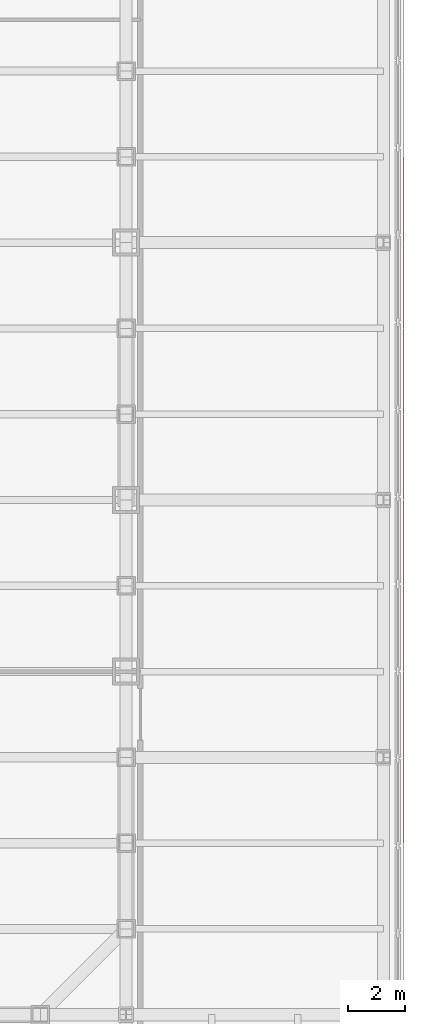
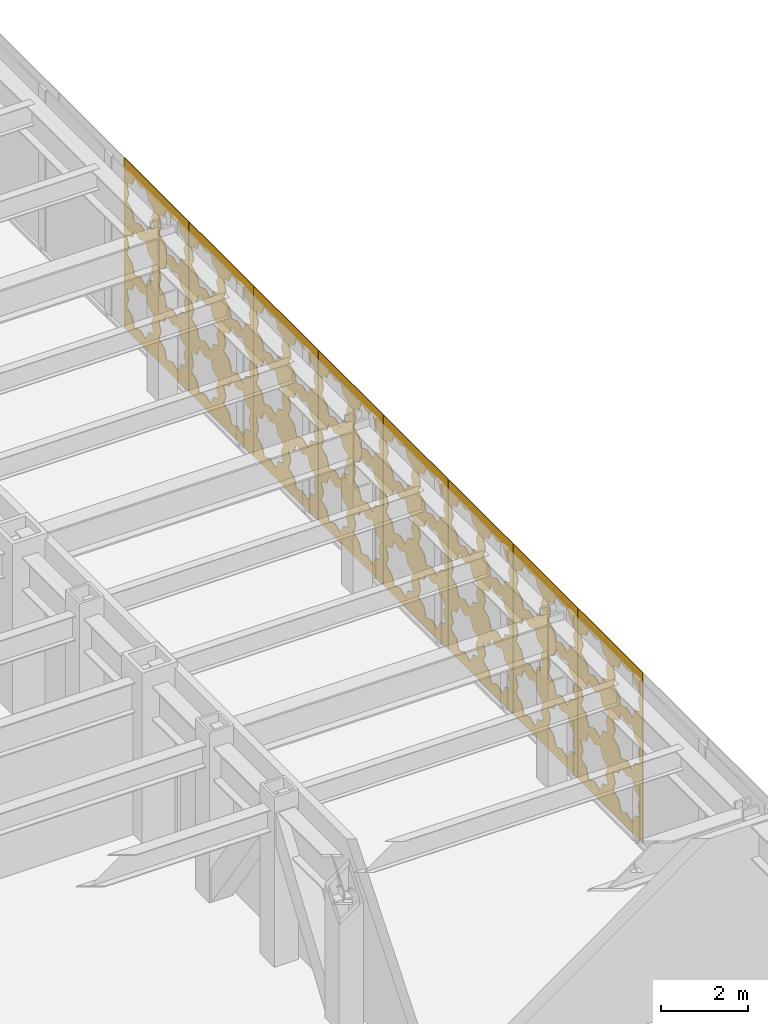
# One storey, part 23 of 24: 8 shading devices.
"""IFC4 building model written with IfcOpenShell, lengths in metres."""

from ifc_helpers import new_model, si_unit, direction, frame, origin, place, context, subcontext, project, spatial, polyline, outline, extrude, material, layer, layer_set, type_object, element, save


model = new_model("IFC4")

# Units and contexts
model_context = context("Model", 3, precision=1e-05, world=origin(), true_north=direction((0.0, 1.0)))
body_context = subcontext(model_context, "Body", "Model", "MODEL_VIEW")
ifc_project = project(units=[si_unit("LENGTHUNIT", "METRE"), si_unit("AREAUNIT", "SQUARE_METRE"), si_unit("VOLUMEUNIT", "CUBIC_METRE"), si_unit("PLANEANGLEUNIT", "RADIAN"), si_unit("MASSUNIT", "GRAM", prefix="KILO")], contexts=[model_context])

# Site, building, storey
site_placement = place(None, origin())
site = spatial("IfcSite", under=ifc_project, at=site_placement, CompositionType="ELEMENT")
building_placement = place(site_placement, origin())
building = spatial("IfcBuilding", under=site, at=building_placement, Name="Chuquiago Exchange Tower", CompositionType="ELEMENT")
storey_placement = place(building_placement, frame((0.0, 0.0, 19.5)))
storey = spatial("IfcBuildingStorey", under=building, at=storey_placement, Name="L03", CompositionType="ELEMENT", Elevation=19.5)

# Shading devices
ifc_material = material(Name="Pale metal, perforated in an eight-point star pattern", Category="aluminium")
ifc_layer = layer(ifc_material, 0.02001953125)
ifc_layer_set = layer_set([ifc_layer], Name="SC1 mashrabiya screen 20")
shading_device_type = type_object("IfcShadingDeviceType", Name="SC1 mashrabiya screen 20", PredefinedType="SHUTTER", material=ifc_layer_set)
shading_device_1_placement = place(storey_placement, frame((54.699951171875, 6.010009765625, -0.199951171875), z_axis=(0.0, 0.0, 1.0), x_axis=(0.0, 1.0, 0.0)))
element("IfcShadingDevice", 1, at=shading_device_1_placement, inside=storey, type_object=shading_device_type, Name="Mashrabiya screen L03 E 9", PredefinedType="SHUTTER", context=body_context, shape_type="SweptSolid", body=[
    extrude(outline(polyline([(0.0, 0.0), (2.97998046875, 0.0), (2.97998046875, 4.800048828125), (0.0, 4.800048828125), (0.0, 0.0)]), holes=[polyline([(1.26953125, 0.909912109375), (1.378173828125, 1.17236328125), (1.115966796875, 1.281005859375), (1.00732421875, 1.543212890625), (0.7451171875, 1.4345703125), (0.482666015625, 1.543212890625), (0.3740234375, 1.281005859375), (0.11181640625, 1.17236328125), (0.220458984375, 0.909912109375), (0.11181640625, 0.647705078125), (0.3740234375, 0.5390625), (0.482666015625, 0.27685546875), (0.7451171875, 0.38525390625), (1.00732421875, 0.27685546875), (1.115966796875, 0.5390625), (1.378173828125, 0.647705078125), (1.26953125, 0.909912109375)]), polyline([(2.759521484375, 0.909912109375), (2.8681640625, 1.17236328125), (2.60595703125, 1.281005859375), (2.497314453125, 1.543212890625), (2.235107421875, 1.4345703125), (1.97265625, 1.543212890625), (1.864013671875, 1.281005859375), (1.601806640625, 1.17236328125), (1.71044921875, 0.909912109375), (1.601806640625, 0.647705078125), (1.864013671875, 0.5390625), (1.97265625, 0.27685546875), (2.235107421875, 0.38525390625), (2.497314453125, 0.27685546875), (2.60595703125, 0.5390625), (2.8681640625, 0.647705078125), (2.759521484375, 0.909912109375)]), polyline([(1.26953125, 2.39990234375), (1.378173828125, 2.662353515625), (1.115966796875, 2.77099609375), (1.00732421875, 3.033203125), (0.7451171875, 2.924560546875), (0.482666015625, 3.033203125), (0.3740234375, 2.77099609375), (0.11181640625, 2.662353515625), (0.220458984375, 2.39990234375), (0.11181640625, 2.1376953125), (0.3740234375, 2.029052734375), (0.482666015625, 1.766845703125), (0.7451171875, 1.875244140625), (1.00732421875, 1.766845703125), (1.115966796875, 2.029052734375), (1.378173828125, 2.1376953125), (1.26953125, 2.39990234375)]), polyline([(2.759521484375, 2.39990234375), (2.8681640625, 2.662353515625), (2.60595703125, 2.77099609375), (2.497314453125, 3.033203125), (2.235107421875, 2.924560546875), (1.97265625, 3.033203125), (1.864013671875, 2.77099609375), (1.601806640625, 2.662353515625), (1.71044921875, 2.39990234375), (1.601806640625, 2.1376953125), (1.864013671875, 2.029052734375), (1.97265625, 1.766845703125), (2.235107421875, 1.875244140625), (2.497314453125, 1.766845703125), (2.60595703125, 2.029052734375), (2.8681640625, 2.1376953125), (2.759521484375, 2.39990234375)]), polyline([(1.26953125, 3.889892578125), (1.378173828125, 4.15234375), (1.115966796875, 4.260986328125), (1.00732421875, 4.523193359375), (0.7451171875, 4.41455078125), (0.482666015625, 4.523193359375), (0.3740234375, 4.260986328125), (0.11181640625, 4.15234375), (0.220458984375, 3.889892578125), (0.11181640625, 3.627685546875), (0.3740234375, 3.51904296875), (0.482666015625, 3.2568359375), (0.7451171875, 3.365234375), (1.00732421875, 3.2568359375), (1.115966796875, 3.51904296875), (1.378173828125, 3.627685546875), (1.26953125, 3.889892578125)]), polyline([(2.759521484375, 3.889892578125), (2.8681640625, 4.15234375), (2.60595703125, 4.260986328125), (2.497314453125, 4.523193359375), (2.235107421875, 4.41455078125), (1.97265625, 4.523193359375), (1.864013671875, 4.260986328125), (1.601806640625, 4.15234375), (1.71044921875, 3.889892578125), (1.601806640625, 3.627685546875), (1.864013671875, 3.51904296875), (1.97265625, 3.2568359375), (2.235107421875, 3.365234375), (2.497314453125, 3.2568359375), (2.60595703125, 3.51904296875), (2.8681640625, 3.627685546875), (2.759521484375, 3.889892578125)])]), frame((0.0, 0.0, 0.0), z_axis=(0.0, -1.0, 0.0), x_axis=(1.0, 0.0, 0.0)), (0.0, 0.0, 1.0), 0.02001953125),
])
shading_device_2_placement = place(storey_placement, frame((54.699951171875, 9.010009765625, -0.199951171875), z_axis=(0.0, 0.0, 1.0), x_axis=(0.0, 1.0, 0.0)))
element("IfcShadingDevice", 2, at=shading_device_2_placement, inside=storey, type_object=shading_device_type, Name="Mashrabiya screen L03 E 10", PredefinedType="SHUTTER", context=body_context, shape_type="SweptSolid", body=[
    extrude(outline(polyline([(0.0, 0.0), (2.97998046875, 0.0), (2.97998046875, 4.800048828125), (0.0, 4.800048828125), (0.0, 0.0)]), holes=[polyline([(1.26953125, 0.909912109375), (1.378173828125, 1.17236328125), (1.115966796875, 1.281005859375), (1.00732421875, 1.543212890625), (0.7451171875, 1.4345703125), (0.482666015625, 1.543212890625), (0.3740234375, 1.281005859375), (0.11181640625, 1.17236328125), (0.220458984375, 0.909912109375), (0.11181640625, 0.647705078125), (0.3740234375, 0.5390625), (0.482666015625, 0.27685546875), (0.7451171875, 0.38525390625), (1.00732421875, 0.27685546875), (1.115966796875, 0.5390625), (1.378173828125, 0.647705078125), (1.26953125, 0.909912109375)]), polyline([(2.759521484375, 0.909912109375), (2.8681640625, 1.17236328125), (2.60595703125, 1.281005859375), (2.497314453125, 1.543212890625), (2.235107421875, 1.4345703125), (1.97265625, 1.543212890625), (1.864013671875, 1.281005859375), (1.601806640625, 1.17236328125), (1.71044921875, 0.909912109375), (1.601806640625, 0.647705078125), (1.864013671875, 0.5390625), (1.97265625, 0.27685546875), (2.235107421875, 0.38525390625), (2.497314453125, 0.27685546875), (2.60595703125, 0.5390625), (2.8681640625, 0.647705078125), (2.759521484375, 0.909912109375)]), polyline([(1.26953125, 2.39990234375), (1.378173828125, 2.662353515625), (1.115966796875, 2.77099609375), (1.00732421875, 3.033203125), (0.7451171875, 2.924560546875), (0.482666015625, 3.033203125), (0.3740234375, 2.77099609375), (0.11181640625, 2.662353515625), (0.220458984375, 2.39990234375), (0.11181640625, 2.1376953125), (0.3740234375, 2.029052734375), (0.482666015625, 1.766845703125), (0.7451171875, 1.875244140625), (1.00732421875, 1.766845703125), (1.115966796875, 2.029052734375), (1.378173828125, 2.1376953125), (1.26953125, 2.39990234375)]), polyline([(2.759521484375, 2.39990234375), (2.8681640625, 2.662353515625), (2.60595703125, 2.77099609375), (2.497314453125, 3.033203125), (2.235107421875, 2.924560546875), (1.97265625, 3.033203125), (1.864013671875, 2.77099609375), (1.601806640625, 2.662353515625), (1.71044921875, 2.39990234375), (1.601806640625, 2.1376953125), (1.864013671875, 2.029052734375), (1.97265625, 1.766845703125), (2.235107421875, 1.875244140625), (2.497314453125, 1.766845703125), (2.60595703125, 2.029052734375), (2.8681640625, 2.1376953125), (2.759521484375, 2.39990234375)]), polyline([(1.26953125, 3.889892578125), (1.378173828125, 4.15234375), (1.115966796875, 4.260986328125), (1.00732421875, 4.523193359375), (0.7451171875, 4.41455078125), (0.482666015625, 4.523193359375), (0.3740234375, 4.260986328125), (0.11181640625, 4.15234375), (0.220458984375, 3.889892578125), (0.11181640625, 3.627685546875), (0.3740234375, 3.51904296875), (0.482666015625, 3.2568359375), (0.7451171875, 3.365234375), (1.00732421875, 3.2568359375), (1.115966796875, 3.51904296875), (1.378173828125, 3.627685546875), (1.26953125, 3.889892578125)]), polyline([(2.759521484375, 3.889892578125), (2.8681640625, 4.15234375), (2.60595703125, 4.260986328125), (2.497314453125, 4.523193359375), (2.235107421875, 4.41455078125), (1.97265625, 4.523193359375), (1.864013671875, 4.260986328125), (1.601806640625, 4.15234375), (1.71044921875, 3.889892578125), (1.601806640625, 3.627685546875), (1.864013671875, 3.51904296875), (1.97265625, 3.2568359375), (2.235107421875, 3.365234375), (2.497314453125, 3.2568359375), (2.60595703125, 3.51904296875), (2.8681640625, 3.627685546875), (2.759521484375, 3.889892578125)])]), frame((0.0, 0.0, 0.0), z_axis=(0.0, -1.0, 0.0), x_axis=(1.0, 0.0, 0.0)), (0.0, 0.0, 1.0), 0.02001953125),
])
shading_device_3_placement = place(storey_placement, frame((54.699951171875, 12.010009765625, -0.199951171875), z_axis=(0.0, 0.0, 1.0), x_axis=(0.0, 1.0, 0.0)))
element("IfcShadingDevice", 3, at=shading_device_3_placement, inside=storey, type_object=shading_device_type, Name="Mashrabiya screen L03 E 11", PredefinedType="SHUTTER", context=body_context, shape_type="SweptSolid", body=[
    extrude(outline(polyline([(0.0, 0.0), (2.97998046875, 0.0), (2.97998046875, 4.800048828125), (0.0, 4.800048828125), (0.0, 0.0)]), holes=[polyline([(1.26953125, 0.909912109375), (1.378173828125, 1.17236328125), (1.115966796875, 1.281005859375), (1.00732421875, 1.543212890625), (0.7451171875, 1.4345703125), (0.482666015625, 1.543212890625), (0.3740234375, 1.281005859375), (0.11181640625, 1.17236328125), (0.220458984375, 0.909912109375), (0.11181640625, 0.647705078125), (0.3740234375, 0.5390625), (0.482666015625, 0.27685546875), (0.7451171875, 0.38525390625), (1.00732421875, 0.27685546875), (1.115966796875, 0.5390625), (1.378173828125, 0.647705078125), (1.26953125, 0.909912109375)]), polyline([(2.759521484375, 0.909912109375), (2.8681640625, 1.17236328125), (2.60595703125, 1.281005859375), (2.497314453125, 1.543212890625), (2.235107421875, 1.4345703125), (1.97265625, 1.543212890625), (1.864013671875, 1.281005859375), (1.601806640625, 1.17236328125), (1.71044921875, 0.909912109375), (1.601806640625, 0.647705078125), (1.864013671875, 0.5390625), (1.97265625, 0.27685546875), (2.235107421875, 0.38525390625), (2.497314453125, 0.27685546875), (2.60595703125, 0.5390625), (2.8681640625, 0.647705078125), (2.759521484375, 0.909912109375)]), polyline([(1.26953125, 2.39990234375), (1.378173828125, 2.662353515625), (1.115966796875, 2.77099609375), (1.00732421875, 3.033203125), (0.7451171875, 2.924560546875), (0.482666015625, 3.033203125), (0.3740234375, 2.77099609375), (0.11181640625, 2.662353515625), (0.220458984375, 2.39990234375), (0.11181640625, 2.1376953125), (0.3740234375, 2.029052734375), (0.482666015625, 1.766845703125), (0.7451171875, 1.875244140625), (1.00732421875, 1.766845703125), (1.115966796875, 2.029052734375), (1.378173828125, 2.1376953125), (1.26953125, 2.39990234375)]), polyline([(2.759521484375, 2.39990234375), (2.8681640625, 2.662353515625), (2.60595703125, 2.77099609375), (2.497314453125, 3.033203125), (2.235107421875, 2.924560546875), (1.97265625, 3.033203125), (1.864013671875, 2.77099609375), (1.601806640625, 2.662353515625), (1.71044921875, 2.39990234375), (1.601806640625, 2.1376953125), (1.864013671875, 2.029052734375), (1.97265625, 1.766845703125), (2.235107421875, 1.875244140625), (2.497314453125, 1.766845703125), (2.60595703125, 2.029052734375), (2.8681640625, 2.1376953125), (2.759521484375, 2.39990234375)]), polyline([(1.26953125, 3.889892578125), (1.378173828125, 4.15234375), (1.115966796875, 4.260986328125), (1.00732421875, 4.523193359375), (0.7451171875, 4.41455078125), (0.482666015625, 4.523193359375), (0.3740234375, 4.260986328125), (0.11181640625, 4.15234375), (0.220458984375, 3.889892578125), (0.11181640625, 3.627685546875), (0.3740234375, 3.51904296875), (0.482666015625, 3.2568359375), (0.7451171875, 3.365234375), (1.00732421875, 3.2568359375), (1.115966796875, 3.51904296875), (1.378173828125, 3.627685546875), (1.26953125, 3.889892578125)]), polyline([(2.759521484375, 3.889892578125), (2.8681640625, 4.15234375), (2.60595703125, 4.260986328125), (2.497314453125, 4.523193359375), (2.235107421875, 4.41455078125), (1.97265625, 4.523193359375), (1.864013671875, 4.260986328125), (1.601806640625, 4.15234375), (1.71044921875, 3.889892578125), (1.601806640625, 3.627685546875), (1.864013671875, 3.51904296875), (1.97265625, 3.2568359375), (2.235107421875, 3.365234375), (2.497314453125, 3.2568359375), (2.60595703125, 3.51904296875), (2.8681640625, 3.627685546875), (2.759521484375, 3.889892578125)])]), frame((0.0, 0.0, 0.0), z_axis=(0.0, -1.0, 0.0), x_axis=(1.0, 0.0, 0.0)), (0.0, 0.0, 1.0), 0.02001953125),
])
shading_device_4_placement = place(storey_placement, frame((54.699951171875, 15.010009765625, -0.199951171875), z_axis=(0.0, 0.0, 1.0), x_axis=(0.0, 1.0, 0.0)))
element("IfcShadingDevice", 4, at=shading_device_4_placement, inside=storey, type_object=shading_device_type, Name="Mashrabiya screen L03 E 12", PredefinedType="SHUTTER", context=body_context, shape_type="SweptSolid", body=[
    extrude(outline(polyline([(0.0, 0.0), (2.97998046875, 0.0), (2.97998046875, 4.800048828125), (0.0, 4.800048828125), (0.0, 0.0)]), holes=[polyline([(1.26953125, 0.909912109375), (1.378173828125, 1.17236328125), (1.115966796875, 1.281005859375), (1.00732421875, 1.543212890625), (0.7451171875, 1.4345703125), (0.482666015625, 1.543212890625), (0.3740234375, 1.281005859375), (0.11181640625, 1.17236328125), (0.220458984375, 0.909912109375), (0.11181640625, 0.647705078125), (0.3740234375, 0.5390625), (0.482666015625, 0.27685546875), (0.7451171875, 0.38525390625), (1.00732421875, 0.27685546875), (1.115966796875, 0.5390625), (1.378173828125, 0.647705078125), (1.26953125, 0.909912109375)]), polyline([(2.759521484375, 0.909912109375), (2.8681640625, 1.17236328125), (2.60595703125, 1.281005859375), (2.497314453125, 1.543212890625), (2.235107421875, 1.4345703125), (1.97265625, 1.543212890625), (1.864013671875, 1.281005859375), (1.601806640625, 1.17236328125), (1.71044921875, 0.909912109375), (1.601806640625, 0.647705078125), (1.864013671875, 0.5390625), (1.97265625, 0.27685546875), (2.235107421875, 0.38525390625), (2.497314453125, 0.27685546875), (2.60595703125, 0.5390625), (2.8681640625, 0.647705078125), (2.759521484375, 0.909912109375)]), polyline([(1.26953125, 2.39990234375), (1.378173828125, 2.662353515625), (1.115966796875, 2.77099609375), (1.00732421875, 3.033203125), (0.7451171875, 2.924560546875), (0.482666015625, 3.033203125), (0.3740234375, 2.77099609375), (0.11181640625, 2.662353515625), (0.220458984375, 2.39990234375), (0.11181640625, 2.1376953125), (0.3740234375, 2.029052734375), (0.482666015625, 1.766845703125), (0.7451171875, 1.875244140625), (1.00732421875, 1.766845703125), (1.115966796875, 2.029052734375), (1.378173828125, 2.1376953125), (1.26953125, 2.39990234375)]), polyline([(2.759521484375, 2.39990234375), (2.8681640625, 2.662353515625), (2.60595703125, 2.77099609375), (2.497314453125, 3.033203125), (2.235107421875, 2.924560546875), (1.97265625, 3.033203125), (1.864013671875, 2.77099609375), (1.601806640625, 2.662353515625), (1.71044921875, 2.39990234375), (1.601806640625, 2.1376953125), (1.864013671875, 2.029052734375), (1.97265625, 1.766845703125), (2.235107421875, 1.875244140625), (2.497314453125, 1.766845703125), (2.60595703125, 2.029052734375), (2.8681640625, 2.1376953125), (2.759521484375, 2.39990234375)]), polyline([(1.26953125, 3.889892578125), (1.378173828125, 4.15234375), (1.115966796875, 4.260986328125), (1.00732421875, 4.523193359375), (0.7451171875, 4.41455078125), (0.482666015625, 4.523193359375), (0.3740234375, 4.260986328125), (0.11181640625, 4.15234375), (0.220458984375, 3.889892578125), (0.11181640625, 3.627685546875), (0.3740234375, 3.51904296875), (0.482666015625, 3.2568359375), (0.7451171875, 3.365234375), (1.00732421875, 3.2568359375), (1.115966796875, 3.51904296875), (1.378173828125, 3.627685546875), (1.26953125, 3.889892578125)]), polyline([(2.759521484375, 3.889892578125), (2.8681640625, 4.15234375), (2.60595703125, 4.260986328125), (2.497314453125, 4.523193359375), (2.235107421875, 4.41455078125), (1.97265625, 4.523193359375), (1.864013671875, 4.260986328125), (1.601806640625, 4.15234375), (1.71044921875, 3.889892578125), (1.601806640625, 3.627685546875), (1.864013671875, 3.51904296875), (1.97265625, 3.2568359375), (2.235107421875, 3.365234375), (2.497314453125, 3.2568359375), (2.60595703125, 3.51904296875), (2.8681640625, 3.627685546875), (2.759521484375, 3.889892578125)])]), frame((0.0, 0.0, 0.0), z_axis=(0.0, -1.0, 0.0), x_axis=(1.0, 0.0, 0.0)), (0.0, 0.0, 1.0), 0.02001953125),
])
shading_device_5_placement = place(storey_placement, frame((54.699951171875, 18.010009765625, -0.199951171875), z_axis=(0.0, 0.0, 1.0), x_axis=(0.0, 1.0, 0.0)))
element("IfcShadingDevice", 5, at=shading_device_5_placement, inside=storey, type_object=shading_device_type, Name="Mashrabiya screen L03 E 13", PredefinedType="SHUTTER", context=body_context, shape_type="SweptSolid", body=[
    extrude(outline(polyline([(0.0, 0.0), (2.97998046875, 0.0), (2.97998046875, 4.800048828125), (0.0, 4.800048828125), (0.0, 0.0)]), holes=[polyline([(1.26953125, 0.909912109375), (1.378173828125, 1.17236328125), (1.115966796875, 1.281005859375), (1.00732421875, 1.543212890625), (0.7451171875, 1.4345703125), (0.482666015625, 1.543212890625), (0.3740234375, 1.281005859375), (0.11181640625, 1.17236328125), (0.220458984375, 0.909912109375), (0.11181640625, 0.647705078125), (0.3740234375, 0.5390625), (0.482666015625, 0.27685546875), (0.7451171875, 0.38525390625), (1.00732421875, 0.27685546875), (1.115966796875, 0.5390625), (1.378173828125, 0.647705078125), (1.26953125, 0.909912109375)]), polyline([(2.759521484375, 0.909912109375), (2.8681640625, 1.17236328125), (2.60595703125, 1.281005859375), (2.497314453125, 1.543212890625), (2.235107421875, 1.4345703125), (1.97265625, 1.543212890625), (1.864013671875, 1.281005859375), (1.601806640625, 1.17236328125), (1.71044921875, 0.909912109375), (1.601806640625, 0.647705078125), (1.864013671875, 0.5390625), (1.97265625, 0.27685546875), (2.235107421875, 0.38525390625), (2.497314453125, 0.27685546875), (2.60595703125, 0.5390625), (2.8681640625, 0.647705078125), (2.759521484375, 0.909912109375)]), polyline([(1.26953125, 2.39990234375), (1.378173828125, 2.662353515625), (1.115966796875, 2.77099609375), (1.00732421875, 3.033203125), (0.7451171875, 2.924560546875), (0.482666015625, 3.033203125), (0.3740234375, 2.77099609375), (0.11181640625, 2.662353515625), (0.220458984375, 2.39990234375), (0.11181640625, 2.1376953125), (0.3740234375, 2.029052734375), (0.482666015625, 1.766845703125), (0.7451171875, 1.875244140625), (1.00732421875, 1.766845703125), (1.115966796875, 2.029052734375), (1.378173828125, 2.1376953125), (1.26953125, 2.39990234375)]), polyline([(2.759521484375, 2.39990234375), (2.8681640625, 2.662353515625), (2.60595703125, 2.77099609375), (2.497314453125, 3.033203125), (2.235107421875, 2.924560546875), (1.97265625, 3.033203125), (1.864013671875, 2.77099609375), (1.601806640625, 2.662353515625), (1.71044921875, 2.39990234375), (1.601806640625, 2.1376953125), (1.864013671875, 2.029052734375), (1.97265625, 1.766845703125), (2.235107421875, 1.875244140625), (2.497314453125, 1.766845703125), (2.60595703125, 2.029052734375), (2.8681640625, 2.1376953125), (2.759521484375, 2.39990234375)]), polyline([(1.26953125, 3.889892578125), (1.378173828125, 4.15234375), (1.115966796875, 4.260986328125), (1.00732421875, 4.523193359375), (0.7451171875, 4.41455078125), (0.482666015625, 4.523193359375), (0.3740234375, 4.260986328125), (0.11181640625, 4.15234375), (0.220458984375, 3.889892578125), (0.11181640625, 3.627685546875), (0.3740234375, 3.51904296875), (0.482666015625, 3.2568359375), (0.7451171875, 3.365234375), (1.00732421875, 3.2568359375), (1.115966796875, 3.51904296875), (1.378173828125, 3.627685546875), (1.26953125, 3.889892578125)]), polyline([(2.759521484375, 3.889892578125), (2.8681640625, 4.15234375), (2.60595703125, 4.260986328125), (2.497314453125, 4.523193359375), (2.235107421875, 4.41455078125), (1.97265625, 4.523193359375), (1.864013671875, 4.260986328125), (1.601806640625, 4.15234375), (1.71044921875, 3.889892578125), (1.601806640625, 3.627685546875), (1.864013671875, 3.51904296875), (1.97265625, 3.2568359375), (2.235107421875, 3.365234375), (2.497314453125, 3.2568359375), (2.60595703125, 3.51904296875), (2.8681640625, 3.627685546875), (2.759521484375, 3.889892578125)])]), frame((0.0, 0.0, 0.0), z_axis=(0.0, -1.0, 0.0), x_axis=(1.0, 0.0, 0.0)), (0.0, 0.0, 1.0), 0.02001953125),
])
shading_device_6_placement = place(storey_placement, frame((54.699951171875, 21.010009765625, -0.199951171875), z_axis=(0.0, 0.0, 1.0), x_axis=(0.0, 1.0, 0.0)))
element("IfcShadingDevice", 6, at=shading_device_6_placement, inside=storey, type_object=shading_device_type, Name="Mashrabiya screen L03 E 14", PredefinedType="SHUTTER", context=body_context, shape_type="SweptSolid", body=[
    extrude(outline(polyline([(0.0, 0.0), (2.97998046875, 0.0), (2.97998046875, 4.800048828125), (0.0, 4.800048828125), (0.0, 0.0)]), holes=[polyline([(1.26953125, 0.909912109375), (1.378173828125, 1.17236328125), (1.115966796875, 1.281005859375), (1.00732421875, 1.543212890625), (0.7451171875, 1.4345703125), (0.482666015625, 1.543212890625), (0.3740234375, 1.281005859375), (0.11181640625, 1.17236328125), (0.220458984375, 0.909912109375), (0.11181640625, 0.647705078125), (0.3740234375, 0.5390625), (0.482666015625, 0.27685546875), (0.7451171875, 0.38525390625), (1.00732421875, 0.27685546875), (1.115966796875, 0.5390625), (1.378173828125, 0.647705078125), (1.26953125, 0.909912109375)]), polyline([(2.759521484375, 0.909912109375), (2.8681640625, 1.17236328125), (2.60595703125, 1.281005859375), (2.497314453125, 1.543212890625), (2.235107421875, 1.4345703125), (1.97265625, 1.543212890625), (1.864013671875, 1.281005859375), (1.601806640625, 1.17236328125), (1.71044921875, 0.909912109375), (1.601806640625, 0.647705078125), (1.864013671875, 0.5390625), (1.97265625, 0.27685546875), (2.235107421875, 0.38525390625), (2.497314453125, 0.27685546875), (2.60595703125, 0.5390625), (2.8681640625, 0.647705078125), (2.759521484375, 0.909912109375)]), polyline([(1.26953125, 2.39990234375), (1.378173828125, 2.662353515625), (1.115966796875, 2.77099609375), (1.00732421875, 3.033203125), (0.7451171875, 2.924560546875), (0.482666015625, 3.033203125), (0.3740234375, 2.77099609375), (0.11181640625, 2.662353515625), (0.220458984375, 2.39990234375), (0.11181640625, 2.1376953125), (0.3740234375, 2.029052734375), (0.482666015625, 1.766845703125), (0.7451171875, 1.875244140625), (1.00732421875, 1.766845703125), (1.115966796875, 2.029052734375), (1.378173828125, 2.1376953125), (1.26953125, 2.39990234375)]), polyline([(2.759521484375, 2.39990234375), (2.8681640625, 2.662353515625), (2.60595703125, 2.77099609375), (2.497314453125, 3.033203125), (2.235107421875, 2.924560546875), (1.97265625, 3.033203125), (1.864013671875, 2.77099609375), (1.601806640625, 2.662353515625), (1.71044921875, 2.39990234375), (1.601806640625, 2.1376953125), (1.864013671875, 2.029052734375), (1.97265625, 1.766845703125), (2.235107421875, 1.875244140625), (2.497314453125, 1.766845703125), (2.60595703125, 2.029052734375), (2.8681640625, 2.1376953125), (2.759521484375, 2.39990234375)]), polyline([(1.26953125, 3.889892578125), (1.378173828125, 4.15234375), (1.115966796875, 4.260986328125), (1.00732421875, 4.523193359375), (0.7451171875, 4.41455078125), (0.482666015625, 4.523193359375), (0.3740234375, 4.260986328125), (0.11181640625, 4.15234375), (0.220458984375, 3.889892578125), (0.11181640625, 3.627685546875), (0.3740234375, 3.51904296875), (0.482666015625, 3.2568359375), (0.7451171875, 3.365234375), (1.00732421875, 3.2568359375), (1.115966796875, 3.51904296875), (1.378173828125, 3.627685546875), (1.26953125, 3.889892578125)]), polyline([(2.759521484375, 3.889892578125), (2.8681640625, 4.15234375), (2.60595703125, 4.260986328125), (2.497314453125, 4.523193359375), (2.235107421875, 4.41455078125), (1.97265625, 4.523193359375), (1.864013671875, 4.260986328125), (1.601806640625, 4.15234375), (1.71044921875, 3.889892578125), (1.601806640625, 3.627685546875), (1.864013671875, 3.51904296875), (1.97265625, 3.2568359375), (2.235107421875, 3.365234375), (2.497314453125, 3.2568359375), (2.60595703125, 3.51904296875), (2.8681640625, 3.627685546875), (2.759521484375, 3.889892578125)])]), frame((0.0, 0.0, 0.0), z_axis=(0.0, -1.0, 0.0), x_axis=(1.0, 0.0, 0.0)), (0.0, 0.0, 1.0), 0.02001953125),
])
shading_device_7_placement = place(storey_placement, frame((54.699951171875, 24.010009765625, -0.199951171875), z_axis=(0.0, 0.0, 1.0), x_axis=(0.0, 1.0, 0.0)))
element("IfcShadingDevice", 7, at=shading_device_7_placement, inside=storey, type_object=shading_device_type, Name="Mashrabiya screen L03 E 15", PredefinedType="SHUTTER", context=body_context, shape_type="SweptSolid", body=[
    extrude(outline(polyline([(0.0, 0.0), (2.97998046875, 0.0), (2.97998046875, 4.800048828125), (0.0, 4.800048828125), (0.0, 0.0)]), holes=[polyline([(1.26953125, 0.909912109375), (1.378173828125, 1.17236328125), (1.115966796875, 1.281005859375), (1.00732421875, 1.543212890625), (0.7451171875, 1.4345703125), (0.482666015625, 1.543212890625), (0.3740234375, 1.281005859375), (0.11181640625, 1.17236328125), (0.220458984375, 0.909912109375), (0.11181640625, 0.647705078125), (0.3740234375, 0.5390625), (0.482666015625, 0.27685546875), (0.7451171875, 0.38525390625), (1.00732421875, 0.27685546875), (1.115966796875, 0.5390625), (1.378173828125, 0.647705078125), (1.26953125, 0.909912109375)]), polyline([(2.759521484375, 0.909912109375), (2.8681640625, 1.17236328125), (2.60595703125, 1.281005859375), (2.497314453125, 1.543212890625), (2.235107421875, 1.4345703125), (1.97265625, 1.543212890625), (1.864013671875, 1.281005859375), (1.601806640625, 1.17236328125), (1.71044921875, 0.909912109375), (1.601806640625, 0.647705078125), (1.864013671875, 0.5390625), (1.97265625, 0.27685546875), (2.235107421875, 0.38525390625), (2.497314453125, 0.27685546875), (2.60595703125, 0.5390625), (2.8681640625, 0.647705078125), (2.759521484375, 0.909912109375)]), polyline([(1.26953125, 2.39990234375), (1.378173828125, 2.662353515625), (1.115966796875, 2.77099609375), (1.00732421875, 3.033203125), (0.7451171875, 2.924560546875), (0.482666015625, 3.033203125), (0.3740234375, 2.77099609375), (0.11181640625, 2.662353515625), (0.220458984375, 2.39990234375), (0.11181640625, 2.1376953125), (0.3740234375, 2.029052734375), (0.482666015625, 1.766845703125), (0.7451171875, 1.875244140625), (1.00732421875, 1.766845703125), (1.115966796875, 2.029052734375), (1.378173828125, 2.1376953125), (1.26953125, 2.39990234375)]), polyline([(2.759521484375, 2.39990234375), (2.8681640625, 2.662353515625), (2.60595703125, 2.77099609375), (2.497314453125, 3.033203125), (2.235107421875, 2.924560546875), (1.97265625, 3.033203125), (1.864013671875, 2.77099609375), (1.601806640625, 2.662353515625), (1.71044921875, 2.39990234375), (1.601806640625, 2.1376953125), (1.864013671875, 2.029052734375), (1.97265625, 1.766845703125), (2.235107421875, 1.875244140625), (2.497314453125, 1.766845703125), (2.60595703125, 2.029052734375), (2.8681640625, 2.1376953125), (2.759521484375, 2.39990234375)]), polyline([(1.26953125, 3.889892578125), (1.378173828125, 4.15234375), (1.115966796875, 4.260986328125), (1.00732421875, 4.523193359375), (0.7451171875, 4.41455078125), (0.482666015625, 4.523193359375), (0.3740234375, 4.260986328125), (0.11181640625, 4.15234375), (0.220458984375, 3.889892578125), (0.11181640625, 3.627685546875), (0.3740234375, 3.51904296875), (0.482666015625, 3.2568359375), (0.7451171875, 3.365234375), (1.00732421875, 3.2568359375), (1.115966796875, 3.51904296875), (1.378173828125, 3.627685546875), (1.26953125, 3.889892578125)]), polyline([(2.759521484375, 3.889892578125), (2.8681640625, 4.15234375), (2.60595703125, 4.260986328125), (2.497314453125, 4.523193359375), (2.235107421875, 4.41455078125), (1.97265625, 4.523193359375), (1.864013671875, 4.260986328125), (1.601806640625, 4.15234375), (1.71044921875, 3.889892578125), (1.601806640625, 3.627685546875), (1.864013671875, 3.51904296875), (1.97265625, 3.2568359375), (2.235107421875, 3.365234375), (2.497314453125, 3.2568359375), (2.60595703125, 3.51904296875), (2.8681640625, 3.627685546875), (2.759521484375, 3.889892578125)])]), frame((0.0, 0.0, 0.0), z_axis=(0.0, -1.0, 0.0), x_axis=(1.0, 0.0, 0.0)), (0.0, 0.0, 1.0), 0.02001953125),
])
shading_device_8_placement = place(storey_placement, frame((54.699951171875, 27.010009765625, -0.199951171875), z_axis=(0.0, 0.0, 1.0), x_axis=(0.0, 1.0, 0.0)))
element("IfcShadingDevice", 8, at=shading_device_8_placement, inside=storey, type_object=shading_device_type, Name="Mashrabiya screen L03 E 16", PredefinedType="SHUTTER", context=body_context, shape_type="SweptSolid", body=[
    extrude(outline(polyline([(0.0, 0.0), (2.97998046875, 0.0), (2.97998046875, 4.800048828125), (0.0, 4.800048828125), (0.0, 0.0)]), holes=[polyline([(1.26953125, 0.909912109375), (1.378173828125, 1.17236328125), (1.115966796875, 1.281005859375), (1.00732421875, 1.543212890625), (0.7451171875, 1.4345703125), (0.482666015625, 1.543212890625), (0.3740234375, 1.281005859375), (0.11181640625, 1.17236328125), (0.220458984375, 0.909912109375), (0.11181640625, 0.647705078125), (0.3740234375, 0.5390625), (0.482666015625, 0.27685546875), (0.7451171875, 0.38525390625), (1.00732421875, 0.27685546875), (1.115966796875, 0.5390625), (1.378173828125, 0.647705078125), (1.26953125, 0.909912109375)]), polyline([(2.759521484375, 0.909912109375), (2.8681640625, 1.17236328125), (2.60595703125, 1.281005859375), (2.497314453125, 1.543212890625), (2.235107421875, 1.4345703125), (1.97265625, 1.543212890625), (1.864013671875, 1.281005859375), (1.601806640625, 1.17236328125), (1.71044921875, 0.909912109375), (1.601806640625, 0.647705078125), (1.864013671875, 0.5390625), (1.97265625, 0.27685546875), (2.235107421875, 0.38525390625), (2.497314453125, 0.27685546875), (2.60595703125, 0.5390625), (2.8681640625, 0.647705078125), (2.759521484375, 0.909912109375)]), polyline([(1.26953125, 2.39990234375), (1.378173828125, 2.662353515625), (1.115966796875, 2.77099609375), (1.00732421875, 3.033203125), (0.7451171875, 2.924560546875), (0.482666015625, 3.033203125), (0.3740234375, 2.77099609375), (0.11181640625, 2.662353515625), (0.220458984375, 2.39990234375), (0.11181640625, 2.1376953125), (0.3740234375, 2.029052734375), (0.482666015625, 1.766845703125), (0.7451171875, 1.875244140625), (1.00732421875, 1.766845703125), (1.115966796875, 2.029052734375), (1.378173828125, 2.1376953125), (1.26953125, 2.39990234375)]), polyline([(2.759521484375, 2.39990234375), (2.8681640625, 2.662353515625), (2.60595703125, 2.77099609375), (2.497314453125, 3.033203125), (2.235107421875, 2.924560546875), (1.97265625, 3.033203125), (1.864013671875, 2.77099609375), (1.601806640625, 2.662353515625), (1.71044921875, 2.39990234375), (1.601806640625, 2.1376953125), (1.864013671875, 2.029052734375), (1.97265625, 1.766845703125), (2.235107421875, 1.875244140625), (2.497314453125, 1.766845703125), (2.60595703125, 2.029052734375), (2.8681640625, 2.1376953125), (2.759521484375, 2.39990234375)]), polyline([(1.26953125, 3.889892578125), (1.378173828125, 4.15234375), (1.115966796875, 4.260986328125), (1.00732421875, 4.523193359375), (0.7451171875, 4.41455078125), (0.482666015625, 4.523193359375), (0.3740234375, 4.260986328125), (0.11181640625, 4.15234375), (0.220458984375, 3.889892578125), (0.11181640625, 3.627685546875), (0.3740234375, 3.51904296875), (0.482666015625, 3.2568359375), (0.7451171875, 3.365234375), (1.00732421875, 3.2568359375), (1.115966796875, 3.51904296875), (1.378173828125, 3.627685546875), (1.26953125, 3.889892578125)]), polyline([(2.759521484375, 3.889892578125), (2.8681640625, 4.15234375), (2.60595703125, 4.260986328125), (2.497314453125, 4.523193359375), (2.235107421875, 4.41455078125), (1.97265625, 4.523193359375), (1.864013671875, 4.260986328125), (1.601806640625, 4.15234375), (1.71044921875, 3.889892578125), (1.601806640625, 3.627685546875), (1.864013671875, 3.51904296875), (1.97265625, 3.2568359375), (2.235107421875, 3.365234375), (2.497314453125, 3.2568359375), (2.60595703125, 3.51904296875), (2.8681640625, 3.627685546875), (2.759521484375, 3.889892578125)])]), frame((0.0, 0.0, 0.0), z_axis=(0.0, -1.0, 0.0), x_axis=(1.0, 0.0, 0.0)), (0.0, 0.0, 1.0), 0.02001953125),
])

save(model, "model.ifc")
